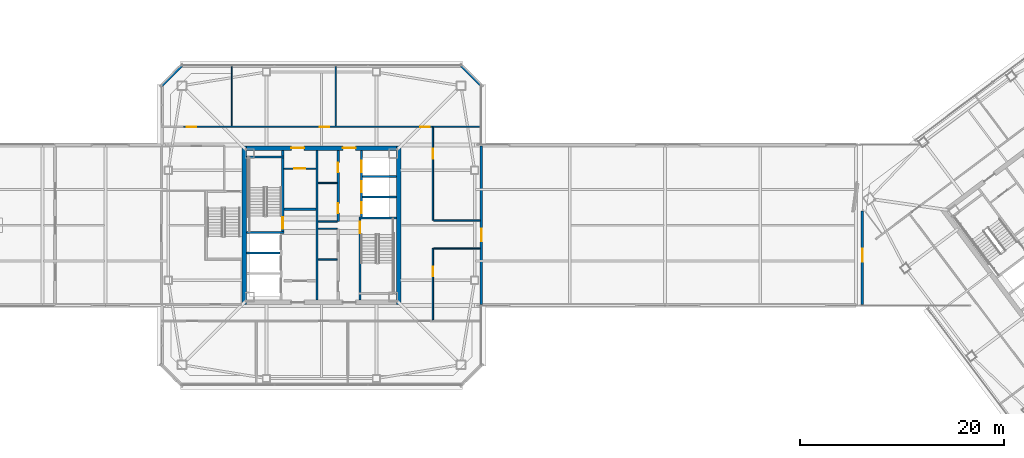
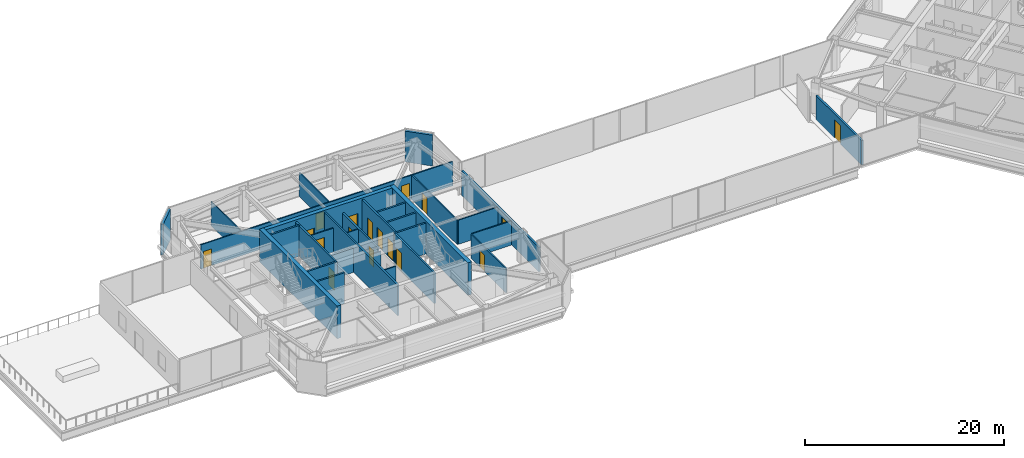
# One storey, part 40 of 51: 32 walls, 17 doors, 17 openings.
"""IFC4 building model written with IfcOpenShell, lengths in metres."""

from ifc_helpers import new_model, si_unit, direction, frame, frame_2d, origin, place, context, subcontext, project, spatial, rectangle, extrude, material, layer, layer_set, type_object, element, fill, save


model = new_model("IFC4")

# Units and contexts
model_context = context("Model", 3, precision=1e-05, world=origin(), true_north=direction((0.0, 1.0)))
body_context = subcontext(model_context, "Body", "Model", "MODEL_VIEW")
ifc_project = project(units=[si_unit("LENGTHUNIT", "METRE"), si_unit("AREAUNIT", "SQUARE_METRE"), si_unit("VOLUMEUNIT", "CUBIC_METRE"), si_unit("PLANEANGLEUNIT", "RADIAN"), si_unit("MASSUNIT", "GRAM", prefix="KILO")], contexts=[model_context])

# Site, building, storey
site_placement = place(None, origin())
site = spatial("IfcSite", under=ifc_project, at=site_placement, CompositionType="ELEMENT")
building_placement = place(site_placement, origin())
building = spatial("IfcBuilding", under=site, at=building_placement, Name="Tashvorn Skyway Center", CompositionType="ELEMENT")
storey_placement = place(building_placement, frame((0.0, 0.0, 251.39990234375)))
storey = spatial("IfcBuildingStorey", under=building, at=storey_placement, Name="L68", CompositionType="ELEMENT", Elevation=251.39990234375)

# Walls
ifc_material_1 = material(Name="Concrete C50/60", Category="concrete")
ifc_layer_1 = layer(ifc_material_1, 0.449951171875)
ifc_layer_set_1 = layer_set([ifc_layer_1], Name="Concrete C50/60")
wall_type_1 = type_object("IfcWallType", Name="WALL-CORE-450", PredefinedType="SHEAR", material=ifc_layer_set_1)
for number, where, z_axis, x_axis, name in (
    (1, (34.425048828125, 24.199951171875, 0.0), (0.0, 0.0, 1.0), (0.0, 1.0, 0.0), "Tower 1 L68 West Core Shear Wall"),
    (2, (49.574951171875, 39.800048828125, 0.0), (0.0, 0.0, 1.0), (0.0, -1.0, 0.0), "Tower 1 L68 East Core Shear Wall"),
):
    element("IfcWall", number, at=place(storey_placement, frame(where, z_axis=z_axis, x_axis=x_axis)), inside=storey, type_object=wall_type_1, Name=name, PredefinedType="SHEAR", context=body_context, shape_type="SweptSolid", body=[
        extrude(rectangle(XDim=15.60009765625, YDim=0.449951171875, at=frame_2d((7.800048828125, 0.0))), origin(), (0.0, 0.0, 1.0), 4.0),
    ])

# Wall, openings, doors
wall_1_placement = place(storey_placement, frame((34.64990234375, 39.574951171875, 0.0), z_axis=(0.0, 0.0, 1.0), x_axis=(1.0, 0.0, 0.0)))
wall_1 = element("IfcWall", 3, at=wall_1_placement, inside=storey, type_object=wall_type_1, Name="Tower 1 L68 North Core Shear Wall", PredefinedType="SHEAR", context=body_context, shape_type="SweptSolid", body=[
    extrude(rectangle(XDim=14.7001953125, YDim=0.449951171875, at=frame_2d((7.35009765625, 0.0))), origin(), (0.0, 0.0, 1.0), 4.0),
])
opening_1_placement = place(wall_1_placement, frame((4.39990234375, 0.0, 0.0)))
opening_1 = element("IfcOpeningElement", 4, at=opening_1_placement, cuts=wall_1, Name="Opening D-FFL-1250", PredefinedType="OPENING", context=body_context, shape_type="SweptSolid", body=[
    extrude(rectangle(XDim=1.25, YDim=2.25, at=frame_2d((0.625, 1.125))), frame((0.0, 0.23486328125, 0.0), z_axis=(0.0, -1.0, 0.0), x_axis=(1.0, 0.0, 0.0)), (0.0, 0.0, 1.0), 0.469970703125),
])
opening_2_placement = place(wall_1_placement, frame((9.449951171875, 0.0, 0.0)))
opening_2 = element("IfcOpeningElement", 5, at=opening_2_placement, cuts=wall_1, Name="Opening D-FFL-1250", PredefinedType="OPENING", context=body_context, shape_type="SweptSolid", body=[
    extrude(rectangle(XDim=1.25, YDim=2.25, at=frame_2d((0.625, 1.125))), frame((0.0, 0.23486328125, 0.0), z_axis=(0.0, -1.0, 0.0), x_axis=(1.0, 0.0, 0.0)), (0.0, 0.0, 1.0), 0.469970703125),
])
ifc_material_2 = material(Name="Hollow galvanized steel fire door assembly", Category="steel")
door_type_1 = type_object("IfcDoorType", Name="DOOR-FFL-1250", OperationType="NOTDEFINED", PredefinedType="DOOR", material=ifc_material_2)
door_1_placement = place(opening_1_placement, origin())
door_1 = element("IfcDoor", 6, at=door_1_placement, inside=storey, type_object=door_type_1, Name="Tower 1 L68 Core North Service Lobby Door", OperationType="SINGLE_SWING_LEFT", OverallHeight=2.25, OverallWidth=1.25, PredefinedType="DOOR", context=body_context, shape_type="SweptSolid", body=[
    extrude(rectangle(XDim=1.25, YDim=2.25, at=frame_2d((0.625, 1.125))), frame((0.0, 0.02490234375, 0.0), z_axis=(0.0, -1.0, 0.0), x_axis=(1.0, 0.0, 0.0)), (0.0, 0.0, 1.0), 0.050048828125),
])
fill(opening_1, door_1)
door_2_placement = place(opening_2_placement, origin())
door_2 = element("IfcDoor", 7, at=door_2_placement, inside=storey, type_object=door_type_1, Name="Tower 1 L68 Core North Lift Lobby Door", OperationType="SINGLE_SWING_RIGHT", OverallHeight=2.25, OverallWidth=1.25, PredefinedType="DOOR", context=body_context, shape_type="SweptSolid", body=[
    extrude(rectangle(XDim=1.25, YDim=2.25, at=frame_2d((0.625, 1.125))), frame((0.0, 0.02490234375, 0.0), z_axis=(0.0, -1.0, 0.0), x_axis=(1.0, 0.0, 0.0)), (0.0, 0.0, 1.0), 0.050048828125),
])
fill(opening_2, door_2)

# Walls
ifc_material_3 = material(Name="Precast concrete C40/50", Category="concrete")
ifc_layer_2 = layer(ifc_material_3, 0.280029296875)
ifc_layer_set_2 = layer_set([ifc_layer_2], Name="Precast concrete C40/50")
wall_type_2 = type_object("IfcWallType", Name="WALL-EXT-280", PredefinedType="SOLIDWALL", material=ifc_layer_set_2)
for number, where, z_axis, x_axis, name in (
    (8, (26.300048828125, 45.699951171875, 0.0), (0.0, 0.0, 1.0), (0.707106781187, 0.707106781187, 0.0), "Tower 1 L68 NW Precast Chamfer Wall"),
    (9, (55.699951171875, 47.699951171875, 0.0), (0.0, 0.0, 1.0), (0.707106781187, -0.707106781187, 0.0), "Tower 1 L68 NE Precast Chamfer Wall"),
):
    element("IfcWall", number, at=place(storey_placement, frame(where, z_axis=z_axis, x_axis=x_axis)), inside=storey, type_object=wall_type_2, Name=name, PredefinedType="SOLIDWALL", context=body_context, shape_type="SweptSolid", body=[
        extrude(rectangle(XDim=2.828369140625, YDim=0.280029296875, at=frame_2d((1.4140625, 0.0))), origin(), (0.0, 0.0, 1.0), 3.780029296875),
    ])

# Wall, opening, door
ifc_material_4 = material(Name="Concrete C40/50", Category="concrete")
ifc_layer_3 = layer(ifc_material_4, 0.219970703125)
ifc_layer_set_3 = layer_set([ifc_layer_3], Name="Concrete C40/50")
wall_type_3 = type_object("IfcWallType", Name="WALL-FFL-220", PredefinedType="SOLIDWALL", material=ifc_layer_set_3)
wall_2_placement = place(storey_placement, frame((57.699951171875, 24.219970703125, 0.0), z_axis=(0.0, 0.0, 1.0), x_axis=(0.0, 1.0, 0.0)))
wall_2 = element("IfcWall", 10, at=wall_2_placement, inside=storey, type_object=wall_type_3, Name="L68 Sky-Park Tower 1 Fire Separation Wall", PredefinedType="SOLIDWALL", context=body_context, shape_type="SweptSolid", body=[
    extrude(rectangle(XDim=15.56005859375, YDim=0.219970703125, at=frame_2d((7.780029296875, 0.0))), origin(), (0.0, 0.0, 1.0), 2.97119140625),
])
opening_3_placement = place(wall_2_placement, frame((6.199951171875, 0.0, 0.0)))
opening_3 = element("IfcOpeningElement", 11, at=opening_3_placement, cuts=wall_2, Name="Opening D-FFL-1250", PredefinedType="OPENING", context=body_context, shape_type="SweptSolid", body=[
    extrude(rectangle(XDim=1.25, YDim=2.25, at=frame_2d((0.625, 1.125))), frame((0.0, 0.119873046875, 0.0), z_axis=(0.0, -1.0, 0.0), x_axis=(1.0, 0.0, 0.0)), (0.0, 0.0, 1.0), 0.239990234375),
])
door_3_placement = place(opening_3_placement, origin())
door_3 = element("IfcDoor", 12, at=door_3_placement, inside=storey, type_object=door_type_1, Name="L68 Sky-Park Bridge West Fire Door", OperationType="SINGLE_SWING_LEFT", OverallHeight=2.25, OverallWidth=1.25, PredefinedType="DOOR", context=body_context, shape_type="SweptSolid", body=[
    extrude(rectangle(XDim=1.25, YDim=2.25, at=frame_2d((0.625, 1.125))), frame((0.0, 0.02490234375, 0.0), z_axis=(0.0, -1.0, 0.0), x_axis=(1.0, 0.0, 0.0)), (0.0, 0.0, 1.0), 0.050048828125),
])
fill(opening_3, door_3)

wall_3_placement = place(storey_placement, frame((95.1201171875, 24.219970703125, 0.0), z_axis=(0.0, 0.0, 1.0), x_axis=(0.0, 1.0, 0.0)))
wall_3 = element("IfcWall", 13, at=wall_3_placement, inside=storey, type_object=wall_type_3, Name="L68 Sky-Park Tower 2 Fire Separation Wall", PredefinedType="SOLIDWALL", context=body_context, shape_type="SweptSolid", body=[
    extrude(rectangle(XDim=9.179931640625, YDim=0.219970703125, at=frame_2d((4.58984375, 0.0))), origin(), (0.0, 0.0, 1.0), 2.97119140625),
])
opening_4_placement = place(wall_3_placement, frame((4.199951171875, 0.0, 0.0)))
opening_4 = element("IfcOpeningElement", 14, at=opening_4_placement, cuts=wall_3, Name="Opening D-FFL-1250", PredefinedType="OPENING", context=body_context, shape_type="SweptSolid", body=[
    extrude(rectangle(XDim=1.25, YDim=2.25, at=frame_2d((0.625, 1.125))), frame((0.0, 0.119873046875, 0.0), z_axis=(0.0, -1.0, 0.0), x_axis=(1.0, 0.0, 0.0)), (0.0, 0.0, 1.0), 0.239990234375),
])
door_4_placement = place(opening_4_placement, origin())
door_4 = element("IfcDoor", 15, at=door_4_placement, inside=storey, type_object=door_type_1, Name="L68 Sky-Park Bridge East Fire Door", OperationType="SINGLE_SWING_RIGHT", OverallHeight=2.25, OverallWidth=1.25, PredefinedType="DOOR", context=body_context, shape_type="SweptSolid", body=[
    extrude(rectangle(XDim=1.25, YDim=2.25, at=frame_2d((0.625, 1.125))), frame((0.0, 0.02490234375, 0.0), z_axis=(0.0, -1.0, 0.0), x_axis=(1.0, 0.0, 0.0)), (0.0, 0.0, 1.0), 0.050048828125),
])
fill(opening_4, door_4)

# Walls
wall_4_placement = place(storey_placement, frame((38.300048828125, 33.56005859375, 0.0), z_axis=(0.0, 0.0, 1.0), x_axis=(1.0, 0.0, 0.0)))
element("IfcWall", 16, at=wall_4_placement, inside=storey, type_object=wall_type_3, Name="Tower 1 L68 Firefighting Lobby North Wall", PredefinedType="SOLIDWALL", context=body_context, shape_type="SweptSolid", body=[
    extrude(rectangle(XDim=3.14990234375, YDim=0.219970703125, at=frame_2d((1.574951171875, 0.0))), origin(), (0.0, 0.0, 1.0), 2.97119140625),
])
ifc_material_5 = material(Name="Gypsum board on cold-formed steel stud framing", Category="steel")
ifc_layer_4 = layer(ifc_material_5, 0.110107421875)
ifc_layer_set_4 = layer_set([ifc_layer_4], Name="Gypsum board on cold-formed steel stud framing")
wall_type_4 = type_object("IfcWallType", Name="WALL-PART-110", PredefinedType="PARTITIONING", material=ifc_layer_set_4)
for number, where, z_axis, x_axis, name in (
    (17, (33.199951171875, 41.75, 0.0), (0.0, 0.0, 1.0), (0.0, 1.0, 0.0), "Tower 1 L68 North Suite Partition 1"),
    (18, (43.39990234375, 41.75, 0.0), (0.0, 0.0, 1.0), (0.0, 1.0, 0.0), "Tower 1 L68 North Suite Partition 2"),
):
    element("IfcWall", number, at=place(storey_placement, frame(where, z_axis=z_axis, x_axis=x_axis)), inside=storey, type_object=wall_type_4, Name=name, PredefinedType="PARTITIONING", context=body_context, shape_type="SweptSolid", body=[
        extrude(rectangle(XDim=5.929931640625, YDim=0.110107421875, at=frame_2d((2.96484375, 0.0))), origin(), (0.0, 0.0, 1.0), 2.97119140625),
    ])

# Wall, openings, doors
ifc_layer_5 = layer(ifc_material_5, 0.135009765625)
ifc_layer_set_5 = layer_set([ifc_layer_5], Name="Gypsum board on cold-formed steel stud framing")
wall_type_5 = type_object("IfcWallType", Name="WALL-PART-135", PredefinedType="PARTITIONING", material=ifc_layer_set_5)
wall_5_placement = place(storey_placement, frame((28.449951171875, 41.669921875, 0.0), z_axis=(0.0, 0.0, 1.0), x_axis=(1.0, 0.0, 0.0)))
wall_5 = element("IfcWall", 19, at=wall_5_placement, inside=storey, type_object=wall_type_5, Name="Tower 1 L68 North Suite Wall", PredefinedType="PARTITIONING", context=body_context, shape_type="SweptSolid", body=[
    extrude(rectangle(XDim=24.5, YDim=0.135009765625, at=frame_2d((12.25, 0.0))), origin(), (0.0, 0.0, 1.0), 2.97119140625),
])
opening_5_placement = place(wall_5_placement, frame((0.300048828125, 0.0, 0.0)))
opening_5 = element("IfcOpeningElement", 20, at=opening_5_placement, cuts=wall_5, Name="Opening D-INT-950", PredefinedType="OPENING", context=body_context, shape_type="SweptSolid", body=[
    extrude(rectangle(XDim=0.949951171875, YDim=2.050048828125, at=frame_2d((0.47509765625, 1.02490234375))), frame((0.0, 0.077392578125, 0.0), z_axis=(0.0, -1.0, 0.0), x_axis=(1.0, 0.0, 0.0)), (0.0, 0.0, 1.0), 0.155029296875),
])
opening_6_placement = place(wall_5_placement, frame((13.36279296875, 0.0, 0.0)))
opening_6 = element("IfcOpeningElement", 21, at=opening_6_placement, cuts=wall_5, Name="Opening D-INT-950", PredefinedType="OPENING", context=body_context, shape_type="SweptSolid", body=[
    extrude(rectangle(XDim=0.949951171875, YDim=2.050048828125, at=frame_2d((0.47509765625, 1.02490234375))), frame((0.0, 0.077392578125, 0.0), z_axis=(0.0, -1.0, 0.0), x_axis=(1.0, 0.0, 0.0)), (0.0, 0.0, 1.0), 0.155029296875),
])
opening_7_placement = place(wall_5_placement, frame((23.25, 0.0, 0.0)))
opening_7 = element("IfcOpeningElement", 22, at=opening_7_placement, cuts=wall_5, Name="Opening D-INT-950", PredefinedType="OPENING", context=body_context, shape_type="SweptSolid", body=[
    extrude(rectangle(XDim=0.949951171875, YDim=2.050048828125, at=frame_2d((0.47509765625, 1.02490234375))), frame((0.0, 0.077392578125, 0.0), z_axis=(0.0, -1.0, 0.0), x_axis=(1.0, 0.0, 0.0)), (0.0, 0.0, 1.0), 0.155029296875),
])
ifc_material_6 = material(Name="Solid-core architectural oak veneer door")
door_type_2 = type_object("IfcDoorType", Name="DOOR-INT-950", OperationType="NOTDEFINED", PredefinedType="DOOR", material=ifc_material_6)
door_5_placement = place(opening_5_placement, origin())
door_5 = element("IfcDoor", 23, at=door_5_placement, inside=storey, type_object=door_type_2, Name="Tower 1 L68 Executive Suite Door", OperationType="SINGLE_SWING_LEFT", OverallHeight=2.050048828125, OverallWidth=0.949951171875, PredefinedType="DOOR", context=body_context, shape_type="SweptSolid", body=[
    extrude(rectangle(XDim=0.949951171875, YDim=2.050048828125, at=frame_2d((0.47509765625, 1.02490234375))), frame((0.0, 0.02490234375, 0.0), z_axis=(0.0, -1.0, 0.0), x_axis=(1.0, 0.0, 0.0)), (0.0, 0.0, 1.0), 0.050048828125),
])
fill(opening_5, door_5)
door_6_placement = place(opening_6_placement, origin())
door_6 = element("IfcDoor", 24, at=door_6_placement, inside=storey, type_object=door_type_2, Name="Tower 1 L68 Executive Suite Door", OperationType="SINGLE_SWING_RIGHT", OverallHeight=2.050048828125, OverallWidth=0.949951171875, PredefinedType="DOOR", context=body_context, shape_type="SweptSolid", body=[
    extrude(rectangle(XDim=0.949951171875, YDim=2.050048828125, at=frame_2d((0.47509765625, 1.02490234375))), frame((0.0, 0.02490234375, 0.0), z_axis=(0.0, -1.0, 0.0), x_axis=(1.0, 0.0, 0.0)), (0.0, 0.0, 1.0), 0.050048828125),
])
fill(opening_6, door_6)
door_7_placement = place(opening_7_placement, origin())
door_7 = element("IfcDoor", 25, at=door_7_placement, inside=storey, type_object=door_type_2, Name="Tower 1 L68 Boardroom Door", OperationType="SINGLE_SWING_LEFT", OverallHeight=2.050048828125, OverallWidth=0.949951171875, PredefinedType="DOOR", context=body_context, shape_type="SweptSolid", body=[
    extrude(rectangle(XDim=0.949951171875, YDim=2.050048828125, at=frame_2d((0.47509765625, 1.02490234375))), frame((0.0, 0.02490234375, 0.0), z_axis=(0.0, -1.0, 0.0), x_axis=(1.0, 0.0, 0.0)), (0.0, 0.0, 1.0), 0.050048828125),
])
fill(opening_7, door_7)

# Wall
wall_6_placement = place(storey_placement, frame((52.949951171875, 41.669921875, 0.0), z_axis=(0.0, 0.0, 1.0), x_axis=(1.0, 0.0, 0.0)))
element("IfcWall", 26, at=wall_6_placement, inside=storey, type_object=wall_type_5, Name="Tower 1 L68 North-East Suite South Wall", PredefinedType="PARTITIONING", context=body_context, shape_type="SweptSolid", body=[
    extrude(rectangle(XDim=4.72998046875, YDim=0.135009765625, at=frame_2d((2.364990234375, 0.0))), origin(), (0.0, 0.0, 1.0), 2.97119140625),
])

# Wall, opening, door
wall_7_placement = place(storey_placement, frame((52.949951171875, 41.590087890625, 0.0), z_axis=(0.0, 0.0, 1.0), x_axis=(0.0, -1.0, 0.0)))
wall_7 = element("IfcWall", 27, at=wall_7_placement, inside=storey, type_object=wall_type_5, Name="Tower 1 L68 East North Suite Wall", PredefinedType="PARTITIONING", context=body_context, shape_type="SweptSolid", body=[
    extrude(rectangle(XDim=9.110107421875, YDim=0.135009765625, at=frame_2d((4.55517578125, 0.0))), origin(), (0.0, 0.0, 1.0), 2.97119140625),
])
opening_8_placement = place(wall_7_placement, frame((2.10009765625, 0.0, 0.0)))
opening_8 = element("IfcOpeningElement", 28, at=opening_8_placement, cuts=wall_7, Name="Opening D-INT-950", PredefinedType="OPENING", context=body_context, shape_type="SweptSolid", body=[
    extrude(rectangle(XDim=0.949951171875, YDim=2.050048828125, at=frame_2d((0.47509765625, 1.02490234375))), frame((0.0, 0.077392578125, 0.0), z_axis=(0.0, -1.0, 0.0), x_axis=(1.0, 0.0, 0.0)), (0.0, 0.0, 1.0), 0.155029296875),
])
door_8_placement = place(opening_8_placement, origin())
door_8 = element("IfcDoor", 29, at=door_8_placement, inside=storey, type_object=door_type_2, Name="Tower 1 L68 Breakout Lounge Door", OperationType="SINGLE_SWING_LEFT", OverallHeight=2.050048828125, OverallWidth=0.949951171875, PredefinedType="DOOR", context=body_context, shape_type="SweptSolid", body=[
    extrude(rectangle(XDim=0.949951171875, YDim=2.050048828125, at=frame_2d((0.47509765625, 1.02490234375))), frame((0.0, 0.02490234375, 0.0), z_axis=(0.0, -1.0, 0.0), x_axis=(1.0, 0.0, 0.0)), (0.0, 0.0, 1.0), 0.050048828125),
])
fill(opening_8, door_8)

wall_8_placement = place(storey_placement, frame((52.949951171875, 29.719970703125, 0.0), z_axis=(0.0, 0.0, 1.0), x_axis=(0.0, -1.0, 0.0)))
wall_8 = element("IfcWall", 30, at=wall_8_placement, inside=storey, type_object=wall_type_5, Name="Tower 1 L68 East South Suite Wall", PredefinedType="PARTITIONING", context=body_context, shape_type="SweptSolid", body=[
    extrude(rectangle(XDim=7.0400390625, YDim=0.135009765625, at=frame_2d((3.52001953125, 0.0))), origin(), (0.0, 0.0, 1.0), 2.97119140625),
])
opening_9_placement = place(wall_8_placement, frame((1.800048828125, 0.0, 0.0)))
opening_9 = element("IfcOpeningElement", 31, at=opening_9_placement, cuts=wall_8, Name="Opening D-INT-950", PredefinedType="OPENING", context=body_context, shape_type="SweptSolid", body=[
    extrude(rectangle(XDim=0.949951171875, YDim=2.050048828125, at=frame_2d((0.47509765625, 1.02490234375))), frame((0.0, 0.077392578125, 0.0), z_axis=(0.0, -1.0, 0.0), x_axis=(1.0, 0.0, 0.0)), (0.0, 0.0, 1.0), 0.155029296875),
])
door_9_placement = place(opening_9_placement, origin())
door_9 = element("IfcDoor", 32, at=door_9_placement, inside=storey, type_object=door_type_2, Name="Tower 1 L68 Executive Conference Suite Door", OperationType="SINGLE_SWING_RIGHT", OverallHeight=2.050048828125, OverallWidth=0.949951171875, PredefinedType="DOOR", context=body_context, shape_type="SweptSolid", body=[
    extrude(rectangle(XDim=0.949951171875, YDim=2.050048828125, at=frame_2d((0.47509765625, 1.02490234375))), frame((0.0, 0.02490234375, 0.0), z_axis=(0.0, -1.0, 0.0), x_axis=(1.0, 0.0, 0.0)), (0.0, 0.0, 1.0), 0.050048828125),
])
fill(opening_9, door_9)

# Walls
for number, where, z_axis, x_axis, name in (
    (33, (53.030029296875, 32.47998046875, 0.0), (0.0, 0.0, 1.0), (1.0, 0.0, 0.0), "Tower 1 L68 Bridge Arm North Wall"),
    (34, (57.6201171875, 29.719970703125, 0.0), (0.0, 0.0, 1.0), (-1.0, 0.0, 0.0), "Tower 1 L68 Bridge Arm South Wall"),
):
    element("IfcWall", number, at=place(storey_placement, frame(where, z_axis=z_axis, x_axis=x_axis)), inside=storey, type_object=wall_type_5, Name=name, PredefinedType="PARTITIONING", context=body_context, shape_type="SweptSolid", body=[
        extrude(rectangle(XDim=4.590087890625, YDim=0.135009765625, at=frame_2d((2.294921875, 0.0))), origin(), (0.0, 0.0, 1.0), 2.97119140625),
    ])

# Wall, opening, door
ifc_layer_6 = layer(ifc_material_5, 0.135009765625)
ifc_layer_set_6 = layer_set([ifc_layer_6], Name="Gypsum board on cold-formed steel stud framing")
wall_type_6 = type_object("IfcWallType", Name="WALL-RATED-135", PredefinedType="PARTITIONING", material=ifc_layer_set_6)
wall_9_placement = place(storey_placement, frame((38.300048828125, 37.550048828125, 0.0), z_axis=(0.0, 0.0, 1.0), x_axis=(1.0, 0.0, 0.0)))
wall_9 = element("IfcWall", 35, at=wall_9_placement, inside=storey, type_object=wall_type_6, Name="Tower 1 L68 Core Service Lobby Wall", PredefinedType="PARTITIONING", context=body_context, shape_type="SweptSolid", body=[
    extrude(rectangle(XDim=3.14990234375, YDim=0.135009765625, at=frame_2d((1.574951171875, 0.0))), origin(), (0.0, 0.0, 1.0), 2.97119140625),
])
opening_10_placement = place(wall_9_placement, frame((1.050048828125, 0.0, 0.0)))
opening_10 = element("IfcOpeningElement", 36, at=opening_10_placement, cuts=wall_9, Name="Opening D-RT-1050", PredefinedType="OPENING", context=body_context, shape_type="SweptSolid", body=[
    extrude(rectangle(XDim=1.050048828125, YDim=2.199951171875, at=frame_2d((0.52490234375, 1.10009765625))), frame((0.0, 0.077392578125, 0.0), z_axis=(0.0, -1.0, 0.0), x_axis=(1.0, 0.0, 0.0)), (0.0, 0.0, 1.0), 0.155029296875),
])
door_type_3 = type_object("IfcDoorType", Name="DOOR-RATED-1050", OperationType="NOTDEFINED", PredefinedType="DOOR", material=ifc_material_2)
door_10_placement = place(opening_10_placement, origin())
door_10 = element("IfcDoor", 37, at=door_10_placement, inside=storey, type_object=door_type_3, Name="Tower 1 L68 Core Accessible WC Door", OperationType="SINGLE_SWING_LEFT", OverallHeight=2.199951171875, OverallWidth=1.050048828125, PredefinedType="DOOR", context=body_context, shape_type="SweptSolid", body=[
    extrude(rectangle(XDim=1.050048828125, YDim=2.199951171875, at=frame_2d((0.52490234375, 1.10009765625))), frame((0.0, 0.02490234375, 0.0), z_axis=(0.0, -1.0, 0.0), x_axis=(1.0, 0.0, 0.0)), (0.0, 0.0, 1.0), 0.050048828125),
])
fill(opening_10, door_10)

# Walls
for number, where, z_axis, x_axis, name in (
    (38, (41.669921875, 31.64990234375, 0.0), (0.0, 0.0, 1.0), (1.0, 0.0, 0.0), "Tower 1 L68 Core Room Partition"),
    (39, (41.669921875, 28.64990234375, 0.0), (0.0, 0.0, 1.0), (1.0, 0.0, 0.0), "Tower 1 L68 Freed Core Partition"),
    (40, (41.669921875, 32.35009765625, 0.0), (0.0, 0.0, 1.0), (1.0, 0.0, 0.0), "Tower 1 L68 Core Room Partition"),
    (41, (41.669921875, 36.14990234375, 0.0), (0.0, 0.0, 1.0), (1.0, 0.0, 0.0), "Tower 1 L68 Freed Mid-Rise Partition"),
):
    element("IfcWall", number, at=place(storey_placement, frame(where, z_axis=z_axis, x_axis=x_axis)), inside=storey, type_object=wall_type_6, Name=name, PredefinedType="PARTITIONING", context=body_context, shape_type="SweptSolid", body=[
        extrude(rectangle(XDim=1.880126953125, YDim=0.135009765625, at=frame_2d((0.93994140625, 0.0))), origin(), (0.0, 0.0, 1.0), 2.97119140625),
    ])
ifc_layer_7 = layer(ifc_material_4, 0.199951171875)
ifc_layer_set_7 = layer_set([ifc_layer_7], Name="Concrete C40/50")
wall_type_7 = type_object("IfcWallType", Name="WALL-SHAFT-200", PredefinedType="SOLIDWALL", material=ifc_layer_set_7)
for number, where, z_axis, x_axis, name in (
    (42, (34.64990234375, 29.280029296875, 0.0), (0.0, 0.0, 1.0), (1.0, 0.0, 0.0), "Tower 1 L68 FSAE Shaft Divider"),
    (43, (46.050048828125, 34.75, 0.0), (0.0, 0.0, 1.0), (1.0, 0.0, 0.0), "Tower 1 L68 High-Rise Shaft Divider"),
    (44, (46.050048828125, 36.800048828125, 0.0), (0.0, 0.0, 1.0), (1.0, 0.0, 0.0), "Tower 1 L68 High-Rise Shaft Divider"),
):
    element("IfcWall", number, at=place(storey_placement, frame(where, z_axis=z_axis, x_axis=x_axis)), inside=storey, type_object=wall_type_7, Name=name, PredefinedType="SOLIDWALL", context=body_context, shape_type="SweptSolid", body=[
        extrude(rectangle(XDim=3.300048828125, YDim=0.199951171875, at=frame_2d((1.64990234375, 0.0))), origin(), (0.0, 0.0, 1.0), 3.780029296875),
    ])

# Wall, openings, doors
wall_10_placement = place(storey_placement, frame((43.64990234375, 32.35009765625, 0.0), z_axis=(0.0, 0.0, 1.0), x_axis=(0.0, 1.0, 0.0)))
wall_10 = element("IfcWall", 45, at=wall_10_placement, inside=storey, type_object=wall_type_7, Name="Tower 1 L68 Mid-Rise Core Wall", PredefinedType="SOLIDWALL", context=body_context, shape_type="SweptSolid", body=[
    extrude(rectangle(XDim=7.0, YDim=0.199951171875, at=frame_2d((3.5, 0.0))), origin(), (0.0, 0.0, 1.0), 2.97119140625),
])
opening_11_placement = place(wall_10_placement, frame((0.85009765625, 0.0, 0.0)))
opening_11 = element("IfcOpeningElement", 46, at=opening_11_placement, cuts=wall_10, Name="Opening D-RT-950", PredefinedType="OPENING", context=body_context, shape_type="SweptSolid", body=[
    extrude(rectangle(XDim=0.949951171875, YDim=2.050048828125, at=frame_2d((0.47509765625, 1.02490234375))), frame((0.0, 0.10986328125, 0.0), z_axis=(0.0, -1.0, 0.0), x_axis=(1.0, 0.0, 0.0)), (0.0, 0.0, 1.0), 0.219970703125),
])
opening_12_placement = place(wall_10_placement, frame((4.85009765625, 0.0, 0.0)))
opening_12 = element("IfcOpeningElement", 47, at=opening_12_placement, cuts=wall_10, Name="Opening D-RT-950", PredefinedType="OPENING", context=body_context, shape_type="SweptSolid", body=[
    extrude(rectangle(XDim=0.949951171875, YDim=2.050048828125, at=frame_2d((0.47509765625, 1.02490234375))), frame((0.0, 0.10986328125, 0.0), z_axis=(0.0, -1.0, 0.0), x_axis=(1.0, 0.0, 0.0)), (0.0, 0.0, 1.0), 0.219970703125),
])
door_type_4 = type_object("IfcDoorType", Name="DOOR-RATED-950", OperationType="NOTDEFINED", PredefinedType="DOOR", material=ifc_material_2)
door_11_placement = place(opening_11_placement, origin())
door_11 = element("IfcDoor", 48, at=door_11_placement, inside=storey, type_object=door_type_4, Name="Tower 1 L68 Core IT Room Door", OperationType="SINGLE_SWING_RIGHT", OverallHeight=2.050048828125, OverallWidth=0.949951171875, PredefinedType="DOOR", context=body_context, shape_type="SweptSolid", body=[
    extrude(rectangle(XDim=0.949951171875, YDim=2.050048828125, at=frame_2d((0.47509765625, 1.02490234375))), frame((0.0, 0.02490234375, 0.0), z_axis=(0.0, -1.0, 0.0), x_axis=(1.0, 0.0, 0.0)), (0.0, 0.0, 1.0), 0.050048828125),
])
fill(opening_11, door_11)
door_12_placement = place(opening_12_placement, origin())
door_12 = element("IfcDoor", 49, at=door_12_placement, inside=storey, type_object=door_type_4, Name="Tower 1 L68 Core Catering Pantry Door", OperationType="SINGLE_SWING_LEFT", OverallHeight=2.050048828125, OverallWidth=0.949951171875, PredefinedType="DOOR", context=body_context, shape_type="SweptSolid", body=[
    extrude(rectangle(XDim=0.949951171875, YDim=2.050048828125, at=frame_2d((0.47509765625, 1.02490234375))), frame((0.0, 0.02490234375, 0.0), z_axis=(0.0, -1.0, 0.0), x_axis=(1.0, 0.0, 0.0)), (0.0, 0.0, 1.0), 0.050048828125),
])
fill(opening_12, door_12)

# Wall, opening, door
ifc_layer_8 = layer(ifc_material_4, 0.199951171875)
ifc_layer_set_8 = layer_set([ifc_layer_8], Name="Concrete C40/50")
wall_type_8 = type_object("IfcWallType", Name="WALL-STSHF-200", PredefinedType="SHEAR", material=ifc_layer_set_8)
wall_11_placement = place(storey_placement, frame((38.199951171875, 31.199951171875, 0.0), z_axis=(0.0, 0.0, 1.0), x_axis=(0.0, 1.0, 0.0)))
wall_11 = element("IfcWall", 50, at=wall_11_placement, inside=storey, type_object=wall_type_8, Name="Tower 1 L68 Stair 1 Enclosure Wall", PredefinedType="SHEAR", context=body_context, shape_type="SweptSolid", body=[
    extrude(rectangle(XDim=8.150146484375, YDim=0.199951171875, at=frame_2d((4.0751953125, 0.0))), origin(), (0.0, 0.0, 1.0), 3.780029296875),
])
opening_13_placement = place(wall_11_placement, frame((0.449951171875, 0.0, 0.0)))
opening_13 = element("IfcOpeningElement", 51, at=opening_13_placement, cuts=wall_11, Name="Opening D-ST-1150", PredefinedType="OPENING", context=body_context, shape_type="SweptSolid", body=[
    extrude(rectangle(XDim=1.14990234375, YDim=2.199951171875, at=frame_2d((0.574951171875, 1.10009765625))), frame((0.0, 0.10986328125, 0.0), z_axis=(0.0, -1.0, 0.0), x_axis=(1.0, 0.0, 0.0)), (0.0, 0.0, 1.0), 0.219970703125),
])
door_type_5 = type_object("IfcDoorType", Name="DOOR-STAIR-1150", OperationType="NOTDEFINED", PredefinedType="DOOR", material=ifc_material_2)
door_13_placement = place(opening_13_placement, origin())
door_13 = element("IfcDoor", 52, at=door_13_placement, inside=storey, type_object=door_type_5, Name="Tower 1 L68 Exit Stair 1 Door", OperationType="SINGLE_SWING_RIGHT", OverallHeight=2.199951171875, OverallWidth=1.14990234375, PredefinedType="DOOR", context=body_context, shape_type="SweptSolid", body=[
    extrude(rectangle(XDim=1.14990234375, YDim=2.199951171875, at=frame_2d((0.574951171875, 1.10009765625))), frame((0.0, 0.02490234375, 0.0), z_axis=(0.0, -1.0, 0.0), x_axis=(1.0, 0.0, 0.0)), (0.0, 0.0, 1.0), 0.050048828125),
])
fill(opening_13, door_13)

# Walls
for number, where, z_axis, x_axis, name in (
    (53, (34.64990234375, 31.300048828125, 0.0), (0.0, 0.0, 1.0), (1.0, 0.0, 0.0), "Tower 1 L68 Stair 1 South Wall"),
    (54, (34.64990234375, 38.699951171875, 0.0), (0.0, 0.0, 1.0), (1.0, 0.0, 0.0), "Tower 1 L68 Stair 1 North Wall"),
):
    element("IfcWall", number, at=place(storey_placement, frame(where, z_axis=z_axis, x_axis=x_axis)), inside=storey, type_object=wall_type_8, Name=name, PredefinedType="SHEAR", context=body_context, shape_type="SweptSolid", body=[
        extrude(rectangle(XDim=3.650146484375, YDim=0.199951171875, at=frame_2d((1.8251953125, 0.0))), origin(), (0.0, 0.0, 1.0), 3.780029296875),
    ])

# Wall, opening, door
wall_12_placement = place(storey_placement, frame((45.800048828125, 32.800048828125, 0.0), z_axis=(0.0, 0.0, 1.0), x_axis=(0.0, -1.0, 0.0)))
wall_12 = element("IfcWall", 55, at=wall_12_placement, inside=storey, type_object=wall_type_8, Name="Tower 1 L68 Stair 2 Enclosure Wall", PredefinedType="SHEAR", context=body_context, shape_type="SweptSolid", body=[
    extrude(rectangle(XDim=8.150146484375, YDim=0.199951171875, at=frame_2d((4.0751953125, 0.0))), origin(), (0.0, 0.0, 1.0), 3.780029296875),
])
opening_14_placement = place(wall_12_placement, frame((0.449951171875, 0.0, 0.0)))
opening_14 = element("IfcOpeningElement", 56, at=opening_14_placement, cuts=wall_12, Name="Opening D-ST-1150", PredefinedType="OPENING", context=body_context, shape_type="SweptSolid", body=[
    extrude(rectangle(XDim=1.14990234375, YDim=2.199951171875, at=frame_2d((0.574951171875, 1.10009765625))), frame((0.0, 0.10986328125, 0.0), z_axis=(0.0, -1.0, 0.0), x_axis=(1.0, 0.0, 0.0)), (0.0, 0.0, 1.0), 0.219970703125),
])
door_14_placement = place(opening_14_placement, origin())
door_14 = element("IfcDoor", 57, at=door_14_placement, inside=storey, type_object=door_type_5, Name="Tower 1 L68 Exit Stair 2 Door", OperationType="SINGLE_SWING_RIGHT", OverallHeight=2.199951171875, OverallWidth=1.14990234375, PredefinedType="DOOR", context=body_context, shape_type="SweptSolid", body=[
    extrude(rectangle(XDim=1.14990234375, YDim=2.199951171875, at=frame_2d((0.574951171875, 1.10009765625))), frame((0.0, 0.02490234375, 0.0), z_axis=(0.0, -1.0, 0.0), x_axis=(1.0, 0.0, 0.0)), (0.0, 0.0, 1.0), 0.050048828125),
])
fill(opening_14, door_14)

# Walls
wall_13_placement = place(storey_placement, frame((45.699951171875, 32.699951171875, 0.0), z_axis=(0.0, 0.0, 1.0), x_axis=(1.0, 0.0, 0.0)))
element("IfcWall", 58, at=wall_13_placement, inside=storey, type_object=wall_type_8, Name="Tower 1 L68 Stair 2 North Wall", PredefinedType="SHEAR", context=body_context, shape_type="SweptSolid", body=[
    extrude(rectangle(XDim=3.650146484375, YDim=0.199951171875, at=frame_2d((1.8251953125, 0.0))), origin(), (0.0, 0.0, 1.0), 3.780029296875),
])
wall_14_placement = place(storey_placement, frame((41.56005859375, 24.64990234375, 0.0), z_axis=(0.0, 0.0, 1.0), x_axis=(0.0, 1.0, 0.0)))
element("IfcWall", 59, at=wall_14_placement, inside=storey, type_object=wall_type_8, Name="Tower 1 L68 Firefighting Lobby East Smoke Barrier", PredefinedType="SHEAR", context=body_context, shape_type="SweptSolid", body=[
    extrude(rectangle(XDim=14.7001953125, YDim=0.199951171875, at=frame_2d((7.35009765625, 0.0))), origin(), (0.0, 0.0, 1.0), 3.780029296875),
])

# Wall, openings, doors
wall_15_placement = place(storey_placement, frame((45.949951171875, 39.35009765625, 0.0), z_axis=(0.0, 0.0, 1.0), x_axis=(0.0, -1.0, 0.0)))
wall_15 = element("IfcWall", 60, at=wall_15_placement, inside=storey, type_object=wall_type_8, Name="Tower 1 L68 High-Rise Lift Shaft Front Wall", PredefinedType="SHEAR", context=body_context, shape_type="SweptSolid", body=[
    extrude(rectangle(XDim=6.550048828125, YDim=0.199951171875, at=frame_2d((3.27490234375, 0.0))), origin(), (0.0, 0.0, 1.0), 3.780029296875),
])
opening_15_placement = place(wall_15_placement, frame((5.074951171875, 0.0, 0.0)))
opening_15 = element("IfcOpeningElement", 61, at=opening_15_placement, cuts=wall_15, Name="Opening LD-HR-T1-1-L68", PredefinedType="OPENING", context=body_context, shape_type="SweptSolid", body=[
    extrude(rectangle(XDim=1.10009765625, YDim=2.199951171875, at=frame_2d((0.550048828125, 1.10009765625))), frame((0.0, 0.10986328125, 0.0), z_axis=(0.0, -1.0, 0.0), x_axis=(1.0, 0.0, 0.0)), (0.0, 0.0, 1.0), 0.219970703125),
])
opening_16_placement = place(wall_15_placement, frame((3.02490234375, 0.0, 0.0)))
opening_16 = element("IfcOpeningElement", 62, at=opening_16_placement, cuts=wall_15, Name="Opening LD-HR-T1-2-L68", PredefinedType="OPENING", context=body_context, shape_type="SweptSolid", body=[
    extrude(rectangle(XDim=1.10009765625, YDim=2.199951171875, at=frame_2d((0.550048828125, 1.10009765625))), frame((0.0, 0.10986328125, 0.0), z_axis=(0.0, -1.0, 0.0), x_axis=(1.0, 0.0, 0.0)), (0.0, 0.0, 1.0), 0.219970703125),
])
opening_17_placement = place(wall_15_placement, frame((1.02490234375, 0.0, 0.0)))
opening_17 = element("IfcOpeningElement", 63, at=opening_17_placement, cuts=wall_15, Name="Opening LD-HR-T1-3-L68", PredefinedType="OPENING", context=body_context, shape_type="SweptSolid", body=[
    extrude(rectangle(XDim=1.10009765625, YDim=2.199951171875, at=frame_2d((0.550048828125, 1.10009765625))), frame((0.0, 0.10986328125, 0.0), z_axis=(0.0, -1.0, 0.0), x_axis=(1.0, 0.0, 0.0)), (0.0, 0.0, 1.0), 0.219970703125),
])
ifc_material_7 = material(Name="Stainless steel landing door", Category="steel")
door_type_6 = type_object("IfcDoorType", Name="DOOR-LIFT-1100", OperationType="SLIDING_TO_LEFT", PredefinedType="DOOR", material=ifc_material_7)
door_15_placement = place(opening_15_placement, origin())
door_15 = element("IfcDoor", 64, at=door_15_placement, inside=storey, type_object=door_type_6, Name="Lift HR-T1-1 L68 Landing Door", OperationType="SLIDING_TO_LEFT", OverallHeight=2.199951171875, OverallWidth=1.10009765625, PredefinedType="DOOR", context=body_context, shape_type="SweptSolid", body=[
    extrude(rectangle(XDim=1.10009765625, YDim=2.199951171875, at=frame_2d((0.550048828125, 1.10009765625))), frame((0.0, 0.02490234375, 0.0), z_axis=(0.0, -1.0, 0.0), x_axis=(1.0, 0.0, 0.0)), (0.0, 0.0, 1.0), 0.050048828125),
])
fill(opening_15, door_15)
door_16_placement = place(opening_16_placement, origin())
door_16 = element("IfcDoor", 65, at=door_16_placement, inside=storey, type_object=door_type_6, Name="Lift HR-T1-2 L68 Landing Door", OperationType="SLIDING_TO_LEFT", OverallHeight=2.199951171875, OverallWidth=1.10009765625, PredefinedType="DOOR", context=body_context, shape_type="SweptSolid", body=[
    extrude(rectangle(XDim=1.10009765625, YDim=2.199951171875, at=frame_2d((0.550048828125, 1.10009765625))), frame((0.0, 0.02490234375, 0.0), z_axis=(0.0, -1.0, 0.0), x_axis=(1.0, 0.0, 0.0)), (0.0, 0.0, 1.0), 0.050048828125),
])
fill(opening_16, door_16)
door_17_placement = place(opening_17_placement, origin())
door_17 = element("IfcDoor", 66, at=door_17_placement, inside=storey, type_object=door_type_6, Name="Lift HR-T1-3 L68 Landing Door", OperationType="SLIDING_TO_LEFT", OverallHeight=2.199951171875, OverallWidth=1.10009765625, PredefinedType="DOOR", context=body_context, shape_type="SweptSolid", body=[
    extrude(rectangle(XDim=1.10009765625, YDim=2.199951171875, at=frame_2d((0.550048828125, 1.10009765625))), frame((0.0, 0.02490234375, 0.0), z_axis=(0.0, -1.0, 0.0), x_axis=(1.0, 0.0, 0.0)), (0.0, 0.0, 1.0), 0.050048828125),
])
fill(opening_17, door_17)

save(model, "model.ifc")
